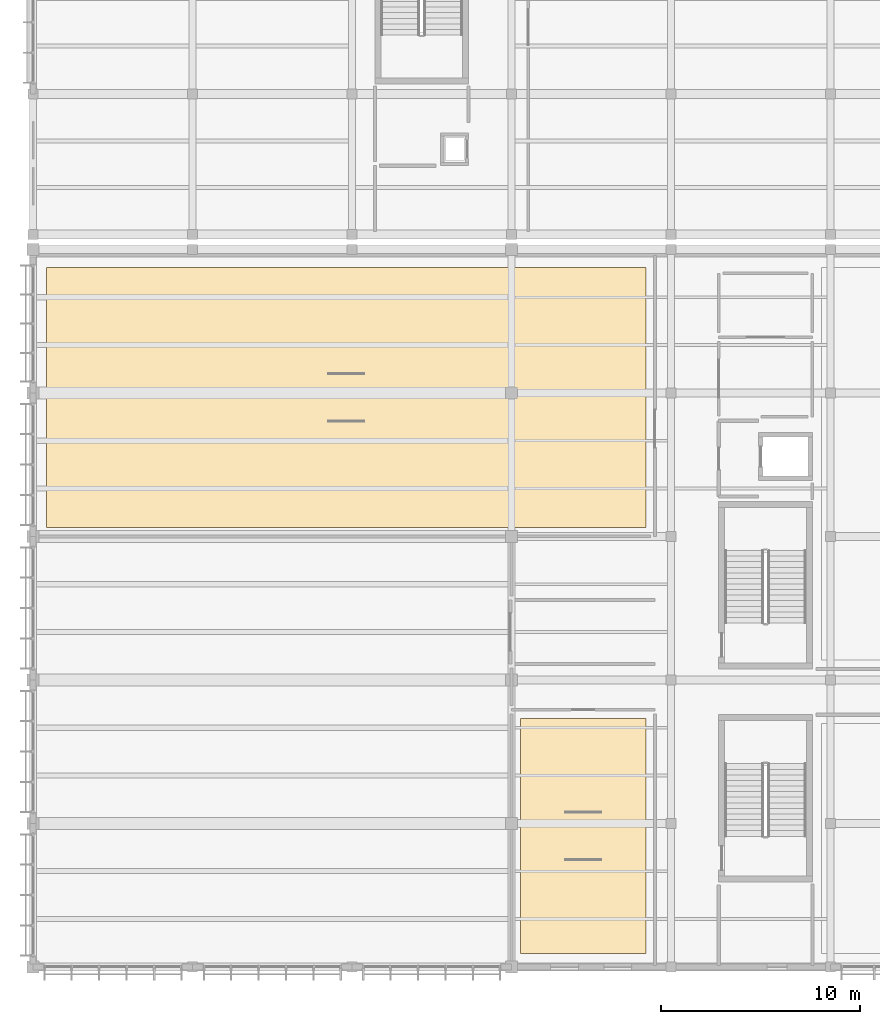
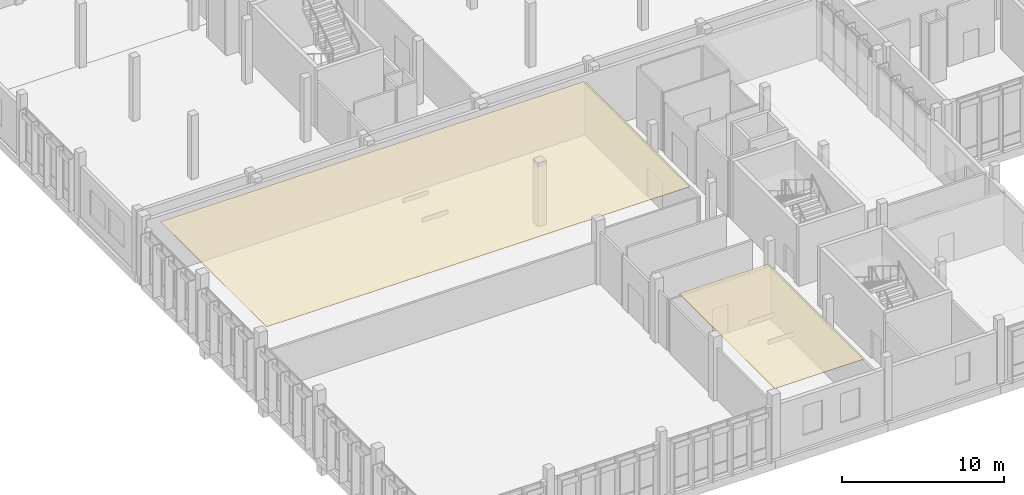
# One storey, part 164 of 177: 2 coverings.
"""IFC4 building model written with IfcOpenShell, lengths in metres."""

from ifc_helpers import new_model, si_unit, direction, frame, origin, place, context, subcontext, project, spatial, polyline, outline, extrude, material, layer, layer_set, type_object, element, save


model = new_model("IFC4")

# Units and contexts
model_context = context("Model", 3, precision=1e-05, world=origin(), true_north=direction((0.0, 1.0)))
body_context = subcontext(model_context, "Body", "Model", "MODEL_VIEW")
ifc_project = project(units=[si_unit("LENGTHUNIT", "METRE"), si_unit("AREAUNIT", "SQUARE_METRE"), si_unit("VOLUMEUNIT", "CUBIC_METRE"), si_unit("PLANEANGLEUNIT", "RADIAN"), si_unit("MASSUNIT", "GRAM", prefix="KILO")], contexts=[model_context])

# Site, building, storey
site_placement = place(None, origin())
site = spatial("IfcSite", under=ifc_project, at=site_placement, CompositionType="ELEMENT")
building_placement = place(site_placement, origin())
building = spatial("IfcBuilding", under=site, at=building_placement, Name="Chiffa Square Polytechnic", CompositionType="ELEMENT")
storey_placement = place(building_placement, frame((0.0, 0.0, 4.800048828125)))
storey = spatial("IfcBuildingStorey", under=building, at=storey_placement, Name="L01", CompositionType="ELEMENT", Elevation=4.800048828125)

# Coverings
ifc_material = material(Name="Perforated gypsum acoustic board")
ifc_layer = layer(ifc_material, 0.02490234375, Name="Perforated gypsum acoustic board")
ifc_layer_set = layer_set([ifc_layer], Name="Perforated gypsum acoustic board")
covering_type = type_object("IfcCoveringType", Name="COV-CEIL-GYP", PredefinedType="CEILING", material=ifc_layer_set)
covering_1_placement = place(storey_placement, frame((0.0, 0.0, 4.45703125)))
element("IfcCovering", 1, at=covering_1_placement, inside=storey, type_object=covering_type, Name="Suspended acoustic ceiling CL-V3-L01-028", PredefinedType="CEILING", context=body_context, shape_type="SweptSolid", body=[
    extrude(outline(polyline([(0.669921875, 22.050048828125), (0.669921875, 35.080078125), (30.75, 35.080078125), (30.75, 22.050048828125), (0.669921875, 22.050048828125)])), origin(), (0.0, 0.0, 1.0), 0.02490234375),
])
covering_2_placement = place(storey_placement, frame((0.0, 0.0, 4.45703125)))
element("IfcCovering", 2, at=covering_2_placement, inside=storey, type_object=covering_type, Name="Suspended acoustic ceiling CL-V3-L01-029", PredefinedType="CEILING", context=body_context, shape_type="SweptSolid", body=[
    extrude(outline(polyline([(24.449951171875, 12.449951171875), (30.75, 12.449951171875), (30.75, 0.669921875), (24.449951171875, 0.669921875), (24.449951171875, 12.449951171875)])), origin(), (0.0, 0.0, 1.0), 0.02490234375),
])

save(model, "model.ifc")
